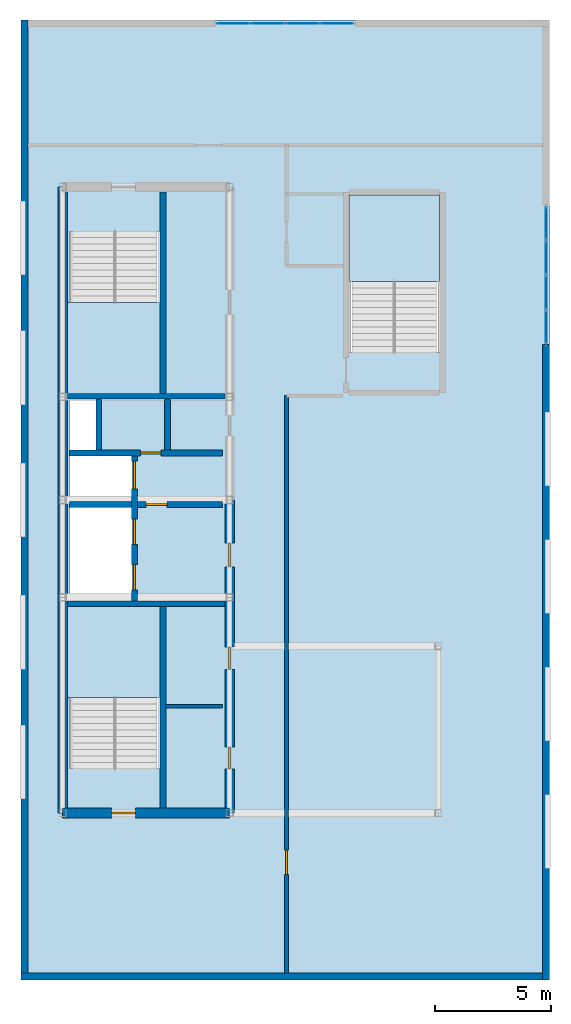
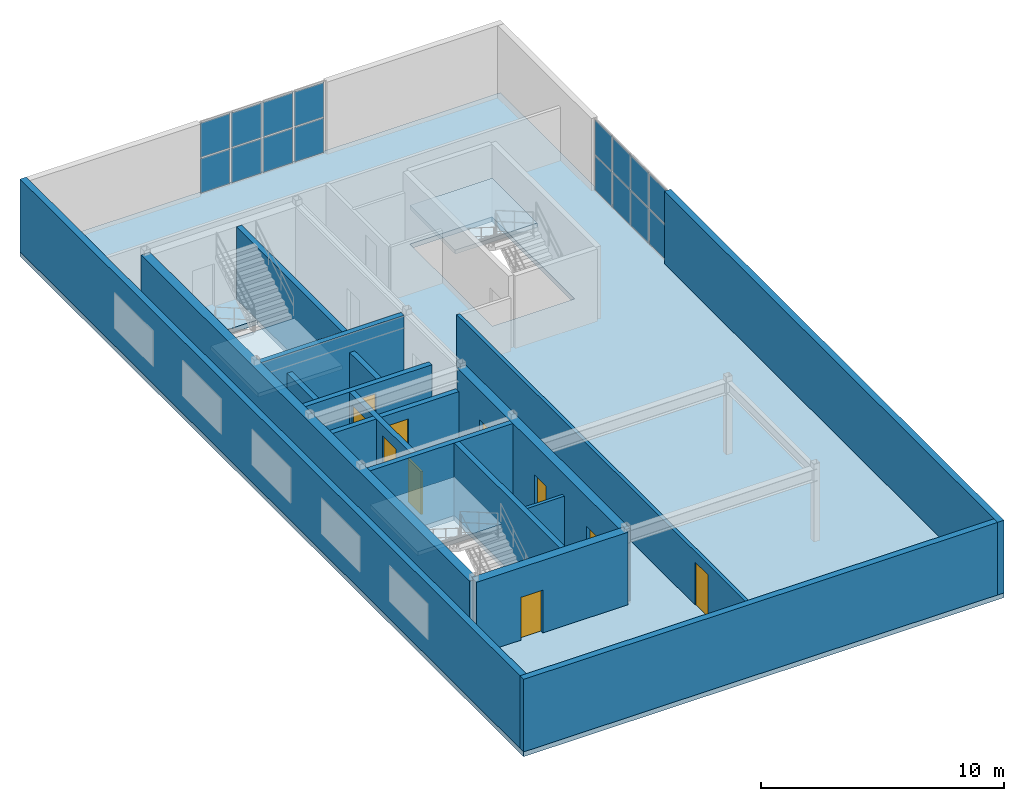
# One storey, part 5 of 7: 17 walls, 16 plates, 10 doors, 4 slabs, 10 openings, 5 elements without a shape of their own.
"""IFC4 building model written with IfcOpenShell, lengths in metres."""

from ifc_helpers import new_model, entity, si_unit, converted_unit, direction, frame, origin_with_axes, origin_2d_with_axis, place, context, subcontext, project, spatial, polyline, rectangle, outline, extrude, material, layer, layer_set, type_object, element, fill, aggregate, save


model = new_model("IFC4")

# Units and contexts
model_context = context("Model", 3, precision=1e-05, world=origin_with_axes(), true_north=direction((0.0, 1.0)))
body_context = subcontext(model_context, "Body", "Model", "MODEL_VIEW")
ifc_project = project(units=[si_unit("LENGTHUNIT", "METRE"), si_unit("AREAUNIT", "SQUARE_METRE"), si_unit("VOLUMEUNIT", "CUBIC_METRE"), converted_unit("PLANEANGLEUNIT", "DEGREE", entity("IfcPlaneAngleMeasure", 0.017453292519943295), si_unit("PLANEANGLEUNIT", "RADIAN"), dimensions=[0, 0, 0, 0, 0, 0, 0]), si_unit("MASSUNIT", "GRAM", prefix="KILO"), si_unit("THERMODYNAMICTEMPERATUREUNIT", "KELVIN")], contexts=[model_context])

# Site, building, storey
site_placement = place(None, origin_with_axes())
site = spatial("IfcSite", under=ifc_project, at=site_placement, CompositionType="ELEMENT")
building_placement = place(site_placement, origin_with_axes())
building = spatial("IfcBuilding", under=site, at=building_placement, Name="Varnlund Millrace Tower", CompositionType="ELEMENT")
storey_placement = place(building_placement, frame((0.0, 0.0, 316.5), z_axis=(0.0, 0.0, 1.0), x_axis=(1.0, 0.0, 0.0)))
storey = spatial("IfcBuildingStorey", under=building, at=storey_placement, Name="L78", CompositionType="ELEMENT", Elevation=316.5)

# Curtain wall, plates
ifc_material_1 = material(Name="Thermally broken architectural bronze curtain wall", Category="aluminium")
curtain_wall_type = type_object("IfcCurtainWallType", Name="Type-CW-Sys6-Observatory", PredefinedType="NOTDEFINED", material=ifc_material_1)
curtain_wall_1_placement = place(storey_placement, frame((32.25, 37.0, 0.0), z_axis=(0.0, 0.0, 1.0), x_axis=(1.0, 0.0, 0.0)))
curtain_wall_1 = element("IfcCurtainWall", 1, at=curtain_wall_1_placement, inside=storey, type_object=curtain_wall_type, Name="Type-CW-Sys6-Observatory", PredefinedType="NOTDEFINED")
ifc_material_2 = material(Name="Fritted low-e triple-glazed lantern curtain-wall unit", Category="glass")
ifc_layer_1 = layer(ifc_material_2, 0.032, Name="Fritted low-e triple-glazed lantern curtain-wall unit")
ifc_layer_set_1 = layer_set([ifc_layer_1], Name="Fritted low-e triple-glazed lantern curtain-wall unit")
plate_type = type_object("IfcPlateType", Name="Type-CW-Panel-Clerestory-32", PredefinedType="CURTAIN_PANEL", material=ifc_layer_set_1)
plate_1_placement = place(storey_placement, frame((32.25, 36.23375, 0.065), z_axis=(0.0, 0.0, 1.0), x_axis=(0.0, -1.0, 0.0)))
plate_1 = element("IfcPlate", 2, at=plate_1_placement, type_object=plate_type, Name="CW-06 panel 1.1", PredefinedType="CURTAIN_PANEL", context=body_context, shape_type="SweptSolid", body=[
    extrude(rectangle(XDim=1.4025, YDim=0.032, at=origin_2d_with_axis()), origin_with_axes(), (0.0, 0.0, 1.0), 1.7225),
])
plate_2_placement = place(storey_placement, frame((32.25, 36.23375, 1.8525), z_axis=(0.0, 0.0, 1.0), x_axis=(0.0, -1.0, 0.0)))
plate_2 = element("IfcPlate", 3, at=plate_2_placement, type_object=plate_type, Name="CW-06 panel 1.2", PredefinedType="CURTAIN_PANEL", context=body_context, shape_type="SweptSolid", body=[
    extrude(rectangle(XDim=1.4025, YDim=0.032, at=origin_2d_with_axis()), origin_with_axes(), (0.0, 0.0, 1.0), 1.7225),
])
plate_3_placement = place(storey_placement, frame((32.25, 34.75, 0.065), z_axis=(0.0, 0.0, 1.0), x_axis=(0.0, -1.0, 0.0)))
plate_3 = element("IfcPlate", 4, at=plate_3_placement, type_object=plate_type, Name="CW-06 panel 2.1", PredefinedType="CURTAIN_PANEL", context=body_context, shape_type="SweptSolid", body=[
    extrude(rectangle(XDim=1.435, YDim=0.032, at=origin_2d_with_axis()), origin_with_axes(), (0.0, 0.0, 1.0), 1.7225),
])
plate_4_placement = place(storey_placement, frame((32.25, 34.75, 1.8525), z_axis=(0.0, 0.0, 1.0), x_axis=(0.0, -1.0, 0.0)))
plate_4 = element("IfcPlate", 5, at=plate_4_placement, type_object=plate_type, Name="CW-06 panel 2.2", PredefinedType="CURTAIN_PANEL", context=body_context, shape_type="SweptSolid", body=[
    extrude(rectangle(XDim=1.435, YDim=0.032, at=origin_2d_with_axis()), origin_with_axes(), (0.0, 0.0, 1.0), 1.7225),
])
plate_5_placement = place(storey_placement, frame((32.25, 33.25, 0.065), z_axis=(0.0, 0.0, 1.0), x_axis=(0.0, -1.0, 0.0)))
plate_5 = element("IfcPlate", 6, at=plate_5_placement, type_object=plate_type, Name="CW-06 panel 3.1", PredefinedType="CURTAIN_PANEL", context=body_context, shape_type="SweptSolid", body=[
    extrude(rectangle(XDim=1.435, YDim=0.032, at=origin_2d_with_axis()), origin_with_axes(), (0.0, 0.0, 1.0), 1.7225),
])
plate_6_placement = place(storey_placement, frame((32.25, 33.25, 1.8525), z_axis=(0.0, 0.0, 1.0), x_axis=(0.0, -1.0, 0.0)))
plate_6 = element("IfcPlate", 7, at=plate_6_placement, type_object=plate_type, Name="CW-06 panel 3.2", PredefinedType="CURTAIN_PANEL", context=body_context, shape_type="SweptSolid", body=[
    extrude(rectangle(XDim=1.435, YDim=0.032, at=origin_2d_with_axis()), origin_with_axes(), (0.0, 0.0, 1.0), 1.7225),
])
plate_7_placement = place(storey_placement, frame((32.25, 31.76625, 0.065), z_axis=(0.0, 0.0, 1.0), x_axis=(0.0, -1.0, 0.0)))
plate_7 = element("IfcPlate", 8, at=plate_7_placement, type_object=plate_type, Name="CW-06 panel 4.1", PredefinedType="CURTAIN_PANEL", context=body_context, shape_type="SweptSolid", body=[
    extrude(rectangle(XDim=1.4025, YDim=0.032, at=origin_2d_with_axis()), origin_with_axes(), (0.0, 0.0, 1.0), 1.7225),
])
plate_8_placement = place(storey_placement, frame((32.25, 31.76625, 1.8525), z_axis=(0.0, 0.0, 1.0), x_axis=(0.0, -1.0, 0.0)))
plate_8 = element("IfcPlate", 9, at=plate_8_placement, type_object=plate_type, Name="CW-06 panel 4.2", PredefinedType="CURTAIN_PANEL", context=body_context, shape_type="SweptSolid", body=[
    extrude(rectangle(XDim=1.4025, YDim=0.032, at=origin_2d_with_axis()), origin_with_axes(), (0.0, 0.0, 1.0), 1.7225),
])
aggregate(curtain_wall_1, [plate_1, plate_2, plate_3, plate_4, plate_5, plate_6, plate_7, plate_8])

curtain_wall_2_placement = place(storey_placement, frame((18.0, 44.85, 0.0), z_axis=(0.0, 0.0, 1.0), x_axis=(1.0, 0.0, 0.0)))
curtain_wall_2 = element("IfcCurtainWall", 10, at=curtain_wall_2_placement, inside=storey, type_object=curtain_wall_type, Name="Type-CW-Sys6-Observatory", PredefinedType="NOTDEFINED")
plate_9_placement = place(storey_placement, frame((18.76625, 44.85, 0.065), z_axis=(0.0, 0.0, 1.0), x_axis=(1.0, 0.0, 0.0)))
plate_9 = element("IfcPlate", 11, at=plate_9_placement, type_object=plate_type, Name="CW-06 panel 1.1", PredefinedType="CURTAIN_PANEL", context=body_context, shape_type="SweptSolid", body=[
    extrude(rectangle(XDim=1.4025, YDim=0.032, at=origin_2d_with_axis()), origin_with_axes(), (0.0, 0.0, 1.0), 1.7225),
])
plate_10_placement = place(storey_placement, frame((18.76625, 44.85, 1.8525), z_axis=(0.0, 0.0, 1.0), x_axis=(1.0, 0.0, 0.0)))
plate_10 = element("IfcPlate", 12, at=plate_10_placement, type_object=plate_type, Name="CW-06 panel 1.2", PredefinedType="CURTAIN_PANEL", context=body_context, shape_type="SweptSolid", body=[
    extrude(rectangle(XDim=1.4025, YDim=0.032, at=origin_2d_with_axis()), origin_with_axes(), (0.0, 0.0, 1.0), 1.7225),
])
plate_11_placement = place(storey_placement, frame((20.25, 44.85, 0.065), z_axis=(0.0, 0.0, 1.0), x_axis=(1.0, 0.0, 0.0)))
plate_11 = element("IfcPlate", 13, at=plate_11_placement, type_object=plate_type, Name="CW-06 panel 2.1", PredefinedType="CURTAIN_PANEL", context=body_context, shape_type="SweptSolid", body=[
    extrude(rectangle(XDim=1.435, YDim=0.032, at=origin_2d_with_axis()), origin_with_axes(), (0.0, 0.0, 1.0), 1.7225),
])
plate_12_placement = place(storey_placement, frame((20.25, 44.85, 1.8525), z_axis=(0.0, 0.0, 1.0), x_axis=(1.0, 0.0, 0.0)))
plate_12 = element("IfcPlate", 14, at=plate_12_placement, type_object=plate_type, Name="CW-06 panel 2.2", PredefinedType="CURTAIN_PANEL", context=body_context, shape_type="SweptSolid", body=[
    extrude(rectangle(XDim=1.435, YDim=0.032, at=origin_2d_with_axis()), origin_with_axes(), (0.0, 0.0, 1.0), 1.7225),
])
plate_13_placement = place(storey_placement, frame((21.75, 44.85, 0.065), z_axis=(0.0, 0.0, 1.0), x_axis=(1.0, 0.0, 0.0)))
plate_13 = element("IfcPlate", 15, at=plate_13_placement, type_object=plate_type, Name="CW-06 panel 3.1", PredefinedType="CURTAIN_PANEL", context=body_context, shape_type="SweptSolid", body=[
    extrude(rectangle(XDim=1.435, YDim=0.032, at=origin_2d_with_axis()), origin_with_axes(), (0.0, 0.0, 1.0), 1.7225),
])
plate_14_placement = place(storey_placement, frame((21.75, 44.85, 1.8525), z_axis=(0.0, 0.0, 1.0), x_axis=(1.0, 0.0, 0.0)))
plate_14 = element("IfcPlate", 16, at=plate_14_placement, type_object=plate_type, Name="CW-06 panel 3.2", PredefinedType="CURTAIN_PANEL", context=body_context, shape_type="SweptSolid", body=[
    extrude(rectangle(XDim=1.435, YDim=0.032, at=origin_2d_with_axis()), origin_with_axes(), (0.0, 0.0, 1.0), 1.7225),
])
plate_15_placement = place(storey_placement, frame((23.23375, 44.85, 0.065), z_axis=(0.0, 0.0, 1.0), x_axis=(1.0, 0.0, 0.0)))
plate_15 = element("IfcPlate", 17, at=plate_15_placement, type_object=plate_type, Name="CW-06 panel 4.1", PredefinedType="CURTAIN_PANEL", context=body_context, shape_type="SweptSolid", body=[
    extrude(rectangle(XDim=1.4025, YDim=0.032, at=origin_2d_with_axis()), origin_with_axes(), (0.0, 0.0, 1.0), 1.7225),
])
plate_16_placement = place(storey_placement, frame((23.23375, 44.85, 1.8525), z_axis=(0.0, 0.0, 1.0), x_axis=(1.0, 0.0, 0.0)))
plate_16 = element("IfcPlate", 18, at=plate_16_placement, type_object=plate_type, Name="CW-06 panel 4.2", PredefinedType="CURTAIN_PANEL", context=body_context, shape_type="SweptSolid", body=[
    extrude(rectangle(XDim=1.4025, YDim=0.032, at=origin_2d_with_axis()), origin_with_axes(), (0.0, 0.0, 1.0), 1.7225),
])
aggregate(curtain_wall_2, [plate_9, plate_10, plate_11, plate_12, plate_13, plate_14, plate_15, plate_16])

# Slab
ifc_material_3 = material(Name="Concrete C60/75", Category="concrete")
ifc_layer_2 = layer(ifc_material_3, 0.24, Name="Concrete C60/75")
ifc_layer_set_2 = layer_set([ifc_layer_2], Name="Concrete C60/75")
slab_type_1 = type_object("IfcSlabType", Name="Type-Deck-Plate-Typical-240", PredefinedType="FLOOR", material=ifc_layer_set_2)
slab_1_placement = place(storey_placement, frame((0.0, 0.0, -0.24), z_axis=(0.0, 0.0, 1.0), x_axis=(1.0, 0.0, 0.0)))
element("IfcSlab", 19, at=slab_1_placement, inside=storey, type_object=slab_type_1, Name="Type-Deck-Plate-Typical-240", PredefinedType="FLOOR", context=body_context, shape_type="SweptSolid", body=[
    extrude(outline(polyline([(32.4, 3.6), (32.4, 45.0), (9.6, 45.0), (9.6, 3.6), (32.4, 3.6)]), holes=[polyline([(11.7, 19.7), (15.6, 19.7), (15.6, 12.715), (11.7, 12.715), (11.7, 19.7)]), polyline([(11.7, 19.94), (11.7, 23.98), (14.38, 23.98), (14.38, 19.94), (11.7, 19.94)]), polyline([(14.38, 26.2), (14.38, 24.24), (11.7, 24.24), (11.7, 26.2), (14.38, 26.2)]), polyline([(12.84, 28.65), (12.84, 26.46), (11.7, 26.46), (11.7, 28.65), (12.84, 28.65)]), polyline([(15.6, 35.885), (15.6, 28.9), (11.7, 28.9), (11.7, 35.885), (15.6, 35.885)]), polyline([(27.65, 37.45), (27.65, 30.665), (23.75, 30.665), (23.75, 37.45), (27.65, 37.45)])]), origin_with_axes(), (0.0, 0.0, 1.0), 0.24),
])

# Stair, slab
ifc_material_4 = material(Name="Concrete C50/60", Category="concrete")
stair_type = type_object("IfcStairType", Name="Type-Stair-Dogleg-185-390", PredefinedType="HALF_TURN_STAIR", material=ifc_material_4)
stair_1_placement = place(storey_placement, origin_with_axes())
stair_1 = element("IfcStair", 20, at=stair_1_placement, inside=storey, type_object=stair_type, Name="Type-Stair-Dogleg-185-390", PredefinedType="HALF_TURN_STAIR")
ifc_layer_3 = layer(ifc_material_4, 0.2, Name="Concrete C50/60")
ifc_layer_set_3 = layer_set([ifc_layer_3], Name="Concrete C50/60")
slab_type_2 = type_object("IfcSlabType", Name="Type-StairLanding-200", PredefinedType="LANDING", material=ifc_layer_set_3)
slab_2_placement = place(storey_placement, frame((0.0, 0.0, 1.75), z_axis=(0.0, 0.0, 1.0), x_axis=(1.0, 0.0, 0.0)))
slab_2 = element("IfcSlab", 21, at=slab_2_placement, type_object=slab_type_2, Name="ST-A1 landing 1", PredefinedType="LANDING", context=body_context, shape_type="SweptSolid", body=[
    extrude(outline(polyline([(15.6, 15.78), (15.6, 19.7), (11.61, 19.7), (11.61, 15.78), (15.6, 15.78)])), origin_with_axes(), (0.0, 0.0, 1.0), 0.2),
])
aggregate(stair_1, [slab_2])

stair_2_placement = place(storey_placement, origin_with_axes())
stair_2 = element("IfcStair", 22, at=stair_2_placement, inside=storey, type_object=stair_type, Name="Type-Stair-Dogleg-185-390", PredefinedType="HALF_TURN_STAIR")
slab_3_placement = place(storey_placement, frame((0.0, 0.0, 1.75), z_axis=(0.0, 0.0, 1.0), x_axis=(1.0, 0.0, 0.0)))
slab_3 = element("IfcSlab", 23, at=slab_3_placement, type_object=slab_type_2, Name="ST-A2 landing 1", PredefinedType="LANDING", context=body_context, shape_type="SweptSolid", body=[
    extrude(outline(polyline([(11.61, 32.82), (11.61, 28.9), (15.6, 28.9), (15.6, 32.82), (11.61, 32.82)])), origin_with_axes(), (0.0, 0.0, 1.0), 0.2),
])
aggregate(stair_2, [slab_3])

stair_3_placement = place(storey_placement, origin_with_axes())
stair_3 = element("IfcStair", 24, at=stair_3_placement, inside=storey, type_object=stair_type, Name="Type-Stair-Dogleg-185-390", PredefinedType="HALF_TURN_STAIR")
slab_4_placement = place(storey_placement, frame((0.0, 0.0, 1.75), z_axis=(0.0, 0.0, 1.0), x_axis=(1.0, 0.0, 0.0)))
slab_4 = element("IfcSlab", 25, at=slab_4_placement, type_object=slab_type_2, Name="ST-A3 landing 1", PredefinedType="LANDING", context=body_context, shape_type="SweptSolid", body=[
    extrude(outline(polyline([(27.65, 33.73), (27.65, 37.45), (23.75, 37.45), (23.75, 33.73), (27.65, 33.73)])), origin_with_axes(), (0.0, 0.0, 1.0), 0.2),
])
aggregate(stair_3, [slab_4])

# Wall
ifc_layer_4 = layer(ifc_material_3, 0.42, Name="Concrete C60/75")
ifc_layer_set_4 = layer_set([ifc_layer_4], Name="Concrete C60/75")
wall_type_1 = type_object("IfcWallType", Name="Type-CoreWall-Shear-420-C60", PredefinedType="SHEAR", material=ifc_layer_set_4)
wall_1_placement = place(storey_placement, frame((11.4, 10.8, 0.0), z_axis=(0.0, 0.0, 1.0), x_axis=(0.0, 1.0, 0.0)))
element("IfcWall", 26, at=wall_1_placement, inside=storey, type_object=wall_type_1, Name="Type-CoreWall-Shear-420-C60", PredefinedType="SHEAR", context=body_context, shape_type="SweptSolid", body=[
    extrude(outline(polyline([(0.0, -0.21), (27.0, -0.21), (27.0, 0.21), (0.0, 0.21), (0.0, -0.21)])), origin_with_axes(), (0.0, 0.0, 1.0), 3.64),
])

# Wall, opening, door
wall_2_placement = place(storey_placement, frame((11.4, 10.8, 0.0), z_axis=(0.0, 0.0, 1.0), x_axis=(1.0, 0.0, 0.0)))
wall_2 = element("IfcWall", 27, at=wall_2_placement, inside=storey, type_object=wall_type_1, Name="Type-CoreWall-Shear-420-C60", PredefinedType="SHEAR", context=body_context, shape_type="SweptSolid", body=[
    extrude(outline(polyline([(0.0, -0.21), (7.2, -0.21), (7.2, 0.21), (0.0, 0.21), (0.0, -0.21)])), origin_with_axes(), (0.0, 0.0, 1.0), 3.64),
])
opening_1_placement = place(wall_2_placement, frame((2.625, 0.0, 0.0), z_axis=(0.0, 0.0, 1.0), x_axis=(1.0, 0.0, 0.0)))
opening_1 = element("IfcOpeningElement", 28, at=opening_1_placement, cuts=wall_2, Name="Opening L78:DR-STA1", PredefinedType="OPENING", context=body_context, shape_type="SweptSolid", body=[
    extrude(rectangle(XDim=1.05, YDim=0.44, at=origin_2d_with_axis()), origin_with_axes(), (0.0, 0.0, 1.0), 2.15),
])
ifc_material_5 = material(Name="Fire-rated hollow steel door", Category="steel")
door_type_1 = type_object("IfcDoorType", Name="Type-FireDoor-Stair-1050X2150", OperationType="NOTDEFINED", PredefinedType="DOOR", material=ifc_material_5)
door_1_placement = place(wall_2_placement, frame((2.625, 0.0, 0.0), z_axis=(0.0, 0.0, 1.0), x_axis=(1.0, 0.0, 0.0)))
door_1 = element("IfcDoor", 29, at=door_1_placement, inside=storey, type_object=door_type_1, Name="Type-FireDoor-Stair-1050X2150", OperationType="SINGLE_SWING_LEFT", OverallHeight=2.15, OverallWidth=1.05, PredefinedType="DOOR", context=body_context, shape_type="SweptSolid", body=[
    extrude(rectangle(XDim=1.05, YDim=0.09, at=origin_2d_with_axis()), origin_with_axes(), (0.0, 0.0, 1.0), 2.15),
])
fill(opening_1, door_1)

# Wall, openings, doors
wall_3_placement = place(storey_placement, frame((18.6, 10.8, 0.0), z_axis=(0.0, 0.0, 1.0), x_axis=(0.0, 1.0, 0.0)))
wall_3 = element("IfcWall", 30, at=wall_3_placement, inside=storey, type_object=wall_type_1, Name="Type-CoreWall-Shear-420-C60", PredefinedType="SHEAR", context=body_context, shape_type="SweptSolid", body=[
    extrude(outline(polyline([(0.0, -0.21), (13.5, -0.21), (13.5, 0.21), (0.0, 0.21), (0.0, -0.21)])), origin_with_axes(), (0.0, 0.0, 1.0), 3.64),
])
opening_2_placement = place(wall_3_placement, frame((11.125, 0.0, 0.0), z_axis=(0.0, 0.0, 1.0), x_axis=(1.0, 0.0, 0.0)))
opening_2 = element("IfcOpeningElement", 31, at=opening_2_placement, cuts=wall_3, Name="Opening L78:DR-FFLOB-A", PredefinedType="OPENING", context=body_context, shape_type="SweptSolid", body=[
    extrude(rectangle(XDim=1.05, YDim=0.44, at=origin_2d_with_axis()), origin_with_axes(), (0.0, 0.0, 1.0), 2.15),
])
opening_3_placement = place(wall_3_placement, frame((2.375, 0.0, 0.0), z_axis=(0.0, 0.0, 1.0), x_axis=(1.0, 0.0, 0.0)))
opening_3 = element("IfcOpeningElement", 32, at=opening_3_placement, cuts=wall_3, Name="Opening L78:DR-CRN-C1", PredefinedType="OPENING", context=body_context, shape_type="SweptSolid", body=[
    extrude(rectangle(XDim=0.95, YDim=0.44, at=origin_2d_with_axis()), origin_with_axes(), (0.0, 0.0, 1.0), 2.15),
])
opening_4_placement = place(wall_3_placement, frame((6.675, 0.0, 0.0), z_axis=(0.0, 0.0, 1.0), x_axis=(1.0, 0.0, 0.0)))
opening_4 = element("IfcOpeningElement", 33, at=opening_4_placement, cuts=wall_3, Name="Opening L78:DR-CRN-C2", PredefinedType="OPENING", context=body_context, shape_type="SweptSolid", body=[
    extrude(rectangle(XDim=0.95, YDim=0.44, at=origin_2d_with_axis()), origin_with_axes(), (0.0, 0.0, 1.0), 2.15),
])
ifc_material_6 = material(Name="Smoke-barrier hollow steel fire door", Category="steel")
door_type_2 = type_object("IfcDoorType", Name="Type-FireDoor-Lobby-1050X2150", OperationType="NOTDEFINED", PredefinedType="DOOR", material=ifc_material_6)
door_2_placement = place(wall_3_placement, frame((11.125, 0.0, 0.0), z_axis=(0.0, 0.0, 1.0), x_axis=(1.0, 0.0, 0.0)))
door_2 = element("IfcDoor", 34, at=door_2_placement, inside=storey, type_object=door_type_2, Name="Type-FireDoor-Lobby-1050X2150", OperationType="SINGLE_SWING_LEFT", OverallHeight=2.15, OverallWidth=1.05, PredefinedType="DOOR", context=body_context, shape_type="SweptSolid", body=[
    extrude(rectangle(XDim=1.05, YDim=0.09, at=origin_2d_with_axis()), origin_with_axes(), (0.0, 0.0, 1.0), 2.15),
])
fill(opening_2, door_2)
ifc_material_7 = material(Name="Fire-rated hollow steel core service door", Category="steel")
door_type_3 = type_object("IfcDoorType", Name="Type-FireDoor-Service-950X2150", OperationType="NOTDEFINED", PredefinedType="DOOR", material=ifc_material_7)
door_3_placement = place(wall_3_placement, frame((2.375, 0.0, 0.0), z_axis=(0.0, 0.0, 1.0), x_axis=(1.0, 0.0, 0.0)))
door_3 = element("IfcDoor", 35, at=door_3_placement, inside=storey, type_object=door_type_3, Name="Type-FireDoor-Service-950X2150", OperationType="SINGLE_SWING_LEFT", OverallHeight=2.15, OverallWidth=0.95, PredefinedType="DOOR", context=body_context, shape_type="SweptSolid", body=[
    extrude(rectangle(XDim=0.95, YDim=0.09, at=origin_2d_with_axis()), origin_with_axes(), (0.0, 0.0, 1.0), 2.15),
])
fill(opening_3, door_3)
door_4_placement = place(wall_3_placement, frame((6.675, 0.0, 0.0), z_axis=(0.0, 0.0, 1.0), x_axis=(1.0, 0.0, 0.0)))
door_4 = element("IfcDoor", 36, at=door_4_placement, inside=storey, type_object=door_type_3, Name="Type-FireDoor-Service-950X2150", OperationType="SINGLE_SWING_RIGHT", OverallHeight=2.15, OverallWidth=0.95, PredefinedType="DOOR", context=body_context, shape_type="SweptSolid", body=[
    extrude(rectangle(XDim=0.95, YDim=0.09, at=origin_2d_with_axis()), origin_with_axes(), (0.0, 0.0, 1.0), 2.15),
])
fill(opening_4, door_4)

# Walls
ifc_material_8 = material(Name="Precast concrete C50/60", Category="concrete")
ifc_layer_5 = layer(ifc_material_8, 0.3, Name="Precast concrete C50/60")
ifc_layer_set_5 = layer_set([ifc_layer_5], Name="Precast concrete C50/60")
wall_type_2 = type_object("IfcWallType", Name="Type-ExtWall-Precast-Crown-300", PredefinedType="SOLIDWALL", material=ifc_layer_set_5)
wall_4_placement = place(storey_placement, frame((9.75, 3.9, 0.0), z_axis=(0.0, 0.0, 1.0), x_axis=(0.0, 1.0, 0.0)))
element("IfcWall", 37, at=wall_4_placement, inside=storey, type_object=wall_type_2, Name="Type-ExtWall-Precast-Crown-300", PredefinedType="SOLIDWALL", context=body_context, shape_type="SweptSolid", body=[
    extrude(outline(polyline([(0.0, -0.15), (41.1, -0.15), (41.1, 0.15), (0.0, 0.15), (0.0, -0.15)])), origin_with_axes(), (0.0, 0.0, 1.0), 3.64),
])
wall_5_placement = place(storey_placement, frame((32.25, 31.0, 0.0), z_axis=(0.0, 0.0, 1.0), x_axis=(0.0, -1.0, 0.0)))
element("IfcWall", 38, at=wall_5_placement, inside=storey, type_object=wall_type_2, Name="Type-ExtWall-Precast-Crown-300", PredefinedType="SOLIDWALL", context=body_context, shape_type="SweptSolid", body=[
    extrude(outline(polyline([(0.0, -0.15), (27.4, -0.15), (27.4, 0.15), (0.0, 0.15), (0.0, -0.15)])), origin_with_axes(), (0.0, 0.0, 1.0), 3.64),
])
wall_6_placement = place(storey_placement, frame((32.1, 3.75, 0.0), z_axis=(0.0, 0.0, 1.0), x_axis=(-1.0, 0.0, 0.0)))
element("IfcWall", 39, at=wall_6_placement, inside=storey, type_object=wall_type_2, Name="Type-ExtWall-Precast-Crown-300", PredefinedType="SOLIDWALL", context=body_context, shape_type="SweptSolid", body=[
    extrude(outline(polyline([(0.0, -0.15), (22.5, -0.15), (22.5, 0.15), (0.0, 0.15), (0.0, -0.15)])), origin_with_axes(), (0.0, 0.0, 1.0), 3.64),
])
ifc_material_9 = material(Name="Fire-rated gypsum board on cold-formed steel framing", Category="steel")
ifc_layer_6 = layer(ifc_material_9, 0.16, Name="Fire-rated gypsum board on cold-formed steel framing")
ifc_layer_set_6 = layer_set([ifc_layer_6], Name="Fire-rated gypsum board on cold-formed steel framing")
wall_type_3 = type_object("IfcWallType", Name="Type-Partition-Corridor-160", PredefinedType="PARTITIONING", material=ifc_layer_set_6)
wall_7_placement = place(storey_placement, frame((15.84, 15.4, 0.0), z_axis=(0.0, 0.0, 1.0), x_axis=(1.0, 0.0, 0.0)))
element("IfcWall", 40, at=wall_7_placement, inside=storey, type_object=wall_type_3, Name="Type-Partition-Corridor-160", PredefinedType="PARTITIONING", context=body_context, shape_type="SweptSolid", body=[
    extrude(outline(polyline([(0.0, -0.08), (2.46, -0.08), (2.46, 0.08), (0.0, 0.08), (0.0, -0.08)])), origin_with_axes(), (0.0, 0.0, 1.0), 2.68),
])

# Wall, opening, door
wall_8_placement = place(storey_placement, frame((21.05, 3.895, 0.0), z_axis=(0.0, 0.0, 1.0), x_axis=(0.0, 1.0, 0.0)))
wall_8 = element("IfcWall", 41, at=wall_8_placement, inside=storey, type_object=wall_type_3, Name="Type-Partition-Corridor-160", PredefinedType="PARTITIONING", context=body_context, shape_type="SweptSolid", body=[
    extrude(outline(polyline([(0.0, -0.08), (24.905, -0.08), (24.905, 0.08), (0.0, 0.08), (0.0, -0.08)])), origin_with_axes(), (0.0, 0.0, 1.0), 2.68),
])
opening_5_placement = place(wall_8_placement, frame((4.78, 0.0, 0.0), z_axis=(0.0, 0.0, 1.0), x_axis=(1.0, 0.0, 0.0)))
opening_5 = element("IfcOpeningElement", 42, at=opening_5_placement, cuts=wall_8, Name="Opening L78:DR-CRN-PLT", PredefinedType="OPENING", context=body_context, shape_type="SweptSolid", body=[
    extrude(rectangle(XDim=1.05, YDim=0.18, at=origin_2d_with_axis()), origin_with_axes(), (0.0, 0.0, 1.0), 2.15),
])
door_5_placement = place(wall_8_placement, frame((4.78, 0.0, 0.0), z_axis=(0.0, 0.0, 1.0), x_axis=(1.0, 0.0, 0.0)))
door_5 = element("IfcDoor", 43, at=door_5_placement, inside=storey, type_object=door_type_2, Name="Type-FireDoor-Lobby-1050X2150", OperationType="SINGLE_SWING_LEFT", OverallHeight=2.15, OverallWidth=1.05, PredefinedType="DOOR", context=body_context, shape_type="SweptSolid", body=[
    extrude(rectangle(XDim=1.05, YDim=0.09, at=origin_2d_with_axis()), origin_with_axes(), (0.0, 0.0, 1.0), 2.15),
])
fill(opening_5, door_5)

# Wall, openings, doors
ifc_layer_7 = layer(ifc_material_3, 0.25, Name="Concrete C60/75")
ifc_layer_set_7 = layer_set([ifc_layer_7], Name="Concrete C60/75")
wall_type_4 = type_object("IfcWallType", Name="Type-ShaftWall-Fire-250", PredefinedType="SOLIDWALL", material=ifc_layer_set_7)
wall_9_placement = place(storey_placement, frame((14.5, 19.95, 0.0), z_axis=(0.0, 0.0, 1.0), x_axis=(0.0, 1.0, 0.0)))
wall_9 = element("IfcWall", 44, at=wall_9_placement, inside=storey, type_object=wall_type_4, Name="Type-ShaftWall-Fire-250", PredefinedType="SOLIDWALL", context=body_context, shape_type="SweptSolid", body=[
    extrude(outline(polyline([(0.0, -0.125), (6.25, -0.125), (6.25, 0.125), (0.0, 0.125), (0.0, -0.125)])), origin_with_axes(), (0.0, 0.0, 1.0), 2.68),
])
opening_6_placement = place(wall_9_placement, frame((1.025, 0.0, 0.0), z_axis=(0.0, 0.0, 1.0), x_axis=(1.0, 0.0, 0.0)))
opening_6 = element("IfcOpeningElement", 45, at=opening_6_placement, cuts=wall_9, Name="Opening L78:LD-FSAE1", PredefinedType="OPENING", context=body_context, shape_type="SweptSolid", body=[
    extrude(rectangle(XDim=1.1, YDim=0.27, at=origin_2d_with_axis()), origin_with_axes(), (0.0, 0.0, 1.0), 2.15),
])
opening_7_placement = place(wall_9_placement, frame((2.975, 0.0, 0.0), z_axis=(0.0, 0.0, 1.0), x_axis=(1.0, 0.0, 0.0)))
opening_7 = element("IfcOpeningElement", 46, at=opening_7_placement, cuts=wall_9, Name="Opening L78:LD-FSAE2", PredefinedType="OPENING", context=body_context, shape_type="SweptSolid", body=[
    extrude(rectangle(XDim=1.1, YDim=0.27, at=origin_2d_with_axis()), origin_with_axes(), (0.0, 0.0, 1.0), 2.15),
])
opening_8_placement = place(wall_9_placement, frame((5.425, 0.0, 0.0), z_axis=(0.0, 0.0, 1.0), x_axis=(1.0, 0.0, 0.0)))
opening_8 = element("IfcOpeningElement", 47, at=opening_8_placement, cuts=wall_9, Name="Opening L78:LD-SRV1", PredefinedType="OPENING", context=body_context, shape_type="SweptSolid", body=[
    extrude(rectangle(XDim=1.2, YDim=0.27, at=origin_2d_with_axis()), origin_with_axes(), (0.0, 0.0, 1.0), 2.15),
])
ifc_material_10 = material(Name="Stainless and architectural bronze sliding landing door")
door_type_4 = type_object("IfcDoorType", Name="Type-LiftLandingDoor-1100X2150", OperationType="NOTDEFINED", PredefinedType="DOOR", material=ifc_material_10)
door_6_placement = place(wall_9_placement, frame((1.025, 0.0, 0.0), z_axis=(0.0, 0.0, 1.0), x_axis=(1.0, 0.0, 0.0)))
door_6 = element("IfcDoor", 48, at=door_6_placement, inside=storey, type_object=door_type_4, Name="Type-LiftLandingDoor-1100X2150", OperationType="SLIDING_TO_LEFT", OverallHeight=2.15, OverallWidth=1.1, PredefinedType="DOOR", context=body_context, shape_type="SweptSolid", body=[
    extrude(rectangle(XDim=1.1, YDim=0.09, at=origin_2d_with_axis()), origin_with_axes(), (0.0, 0.0, 1.0), 2.15),
])
fill(opening_6, door_6)
door_7_placement = place(wall_9_placement, frame((2.975, 0.0, 0.0), z_axis=(0.0, 0.0, 1.0), x_axis=(1.0, 0.0, 0.0)))
door_7 = element("IfcDoor", 49, at=door_7_placement, inside=storey, type_object=door_type_4, Name="Type-LiftLandingDoor-1100X2150", OperationType="SLIDING_TO_RIGHT", OverallHeight=2.15, OverallWidth=1.1, PredefinedType="DOOR", context=body_context, shape_type="SweptSolid", body=[
    extrude(rectangle(XDim=1.1, YDim=0.09, at=origin_2d_with_axis()), origin_with_axes(), (0.0, 0.0, 1.0), 2.15),
])
fill(opening_7, door_7)
ifc_material_11 = material(Name="Heavy-duty freight sliding landing door")
door_type_5 = type_object("IfcDoorType", Name="Type-LiftLandingDoor-Service-1200X2150", OperationType="NOTDEFINED", PredefinedType="DOOR", material=ifc_material_11)
door_8_placement = place(wall_9_placement, frame((5.425, 0.0, 0.0), z_axis=(0.0, 0.0, 1.0), x_axis=(1.0, 0.0, 0.0)))
door_8 = element("IfcDoor", 50, at=door_8_placement, inside=storey, type_object=door_type_5, Name="Type-LiftLandingDoor-Service-1200X2150", OperationType="DOUBLE_DOOR_SLIDING", OverallHeight=2.15, OverallWidth=1.2, PredefinedType="DOOR", context=body_context, shape_type="SweptSolid", body=[
    extrude(rectangle(XDim=1.2, YDim=0.09, at=origin_2d_with_axis()), origin_with_axes(), (0.0, 0.0, 1.0), 2.15),
])
fill(opening_8, door_8)

# Wall, opening, door
wall_10_placement = place(storey_placement, frame((11.7, 24.1, 0.0), z_axis=(0.0, 0.0, 1.0), x_axis=(1.0, 0.0, 0.0)))
wall_10 = element("IfcWall", 51, at=wall_10_placement, inside=storey, type_object=wall_type_4, Name="Type-ShaftWall-Fire-250", PredefinedType="SOLIDWALL", context=body_context, shape_type="SweptSolid", body=[
    extrude(outline(polyline([(0.0, -0.125), (6.6, -0.125), (6.6, 0.125), (0.0, 0.125), (0.0, -0.125)])), origin_with_axes(), (0.0, 0.0, 1.0), 2.68),
])
opening_9_placement = place(wall_10_placement, frame((3.75, 0.0, 0.0), z_axis=(0.0, 0.0, 1.0), x_axis=(1.0, 0.0, 0.0)))
opening_9 = element("IfcOpeningElement", 52, at=opening_9_placement, cuts=wall_10, Name="Opening L78:DR-CA-SRV1", PredefinedType="OPENING", context=body_context, shape_type="SweptSolid", body=[
    extrude(rectangle(XDim=0.9, YDim=0.27, at=origin_2d_with_axis()), origin_with_axes(), (0.0, 0.0, 1.0), 2.15),
])
ifc_material_12 = material(Name="Fire-rated hollow steel service closet door", Category="steel")
door_type_6 = type_object("IfcDoorType", Name="Type-FireDoor-Closet-900X2150", OperationType="NOTDEFINED", PredefinedType="DOOR", material=ifc_material_12)
door_9_placement = place(wall_10_placement, frame((3.75, 0.0, 0.0), z_axis=(0.0, 0.0, 1.0), x_axis=(1.0, 0.0, 0.0)))
door_9 = element("IfcDoor", 53, at=door_9_placement, inside=storey, type_object=door_type_6, Name="Type-FireDoor-Closet-900X2150", OperationType="SINGLE_SWING_LEFT", OverallHeight=2.15, OverallWidth=0.9, PredefinedType="DOOR", context=body_context, shape_type="SweptSolid", body=[
    extrude(rectangle(XDim=0.9, YDim=0.09, at=origin_2d_with_axis()), origin_with_axes(), (0.0, 0.0, 1.0), 2.15),
])
fill(opening_9, door_9)

wall_11_placement = place(storey_placement, frame((11.7, 26.325, 0.0), z_axis=(0.0, 0.0, 1.0), x_axis=(1.0, 0.0, 0.0)))
wall_11 = element("IfcWall", 54, at=wall_11_placement, inside=storey, type_object=wall_type_4, Name="Type-ShaftWall-Fire-250", PredefinedType="SOLIDWALL", context=body_context, shape_type="SweptSolid", body=[
    extrude(outline(polyline([(0.0, -0.125), (6.6, -0.125), (6.6, 0.125), (0.0, 0.125), (0.0, -0.125)])), origin_with_axes(), (0.0, 0.0, 1.0), 2.68),
])
opening_10_placement = place(wall_11_placement, frame((3.5, 0.0, 0.0), z_axis=(0.0, 0.0, 1.0), x_axis=(1.0, 0.0, 0.0)))
opening_10 = element("IfcOpeningElement", 55, at=opening_10_placement, cuts=wall_11, Name="Opening L78:DR-CA-ELC", PredefinedType="OPENING", context=body_context, shape_type="SweptSolid", body=[
    extrude(rectangle(XDim=0.9, YDim=0.27, at=origin_2d_with_axis()), origin_with_axes(), (0.0, 0.0, 1.0), 2.15),
])
door_10_placement = place(wall_11_placement, frame((3.5, 0.0, 0.0), z_axis=(0.0, 0.0, 1.0), x_axis=(1.0, 0.0, 0.0)))
door_10 = element("IfcDoor", 56, at=door_10_placement, inside=storey, type_object=door_type_6, Name="Type-FireDoor-Closet-900X2150", OperationType="SINGLE_SWING_LEFT", OverallHeight=2.15, OverallWidth=0.9, PredefinedType="DOOR", context=body_context, shape_type="SweptSolid", body=[
    extrude(rectangle(XDim=0.9, YDim=0.09, at=origin_2d_with_axis()), origin_with_axes(), (0.0, 0.0, 1.0), 2.15),
])
fill(opening_10, door_10)

# Walls
for number, where, z_axis, x_axis, name in (
    (57, (12.96, 26.45, 0.0), (0.0, 0.0, 1.0), (0.0, 1.0, 0.0), "Type-ShaftWall-Fire-250"),
    (58, (15.925, 26.45, 0.0), (0.0, 0.0, 1.0), (0.0, 1.0, 0.0), "Type-ShaftWall-Fire-250"),
):
    element("IfcWall", number, at=place(storey_placement, frame(where, z_axis=z_axis, x_axis=x_axis)), inside=storey, type_object=wall_type_4, Name=name, PredefinedType="SOLIDWALL", context=body_context, shape_type="SweptSolid", body=[
        extrude(outline(polyline([(0.0, -0.125), (2.2, -0.125), (2.2, 0.125), (0.0, 0.125), (0.0, -0.125)])), origin_with_axes(), (0.0, 0.0, 1.0), 2.68),
    ])
wall_type_5 = type_object("IfcWallType", Name="Type-StairWall-Shear-250", PredefinedType="SHEAR", material=ifc_layer_set_7)
wall_12_placement = place(storey_placement, frame((15.725, 11.01, 0.0), z_axis=(0.0, 0.0, 1.0), x_axis=(0.0, 1.0, 0.0)))
element("IfcWall", 59, at=wall_12_placement, inside=storey, type_object=wall_type_5, Name="Type-StairWall-Shear-250", PredefinedType="SHEAR", context=body_context, shape_type="SweptSolid", body=[
    extrude(outline(polyline([(0.0, -0.125), (8.69, -0.125), (8.69, 0.125), (0.0, 0.125), (0.0, -0.125)])), origin_with_axes(), (0.0, 0.0, 1.0), 3.64),
])
wall_13_placement = place(storey_placement, frame((11.61, 19.825, 0.0), z_axis=(0.0, 0.0, 1.0), x_axis=(1.0, 0.0, 0.0)))
element("IfcWall", 60, at=wall_13_placement, inside=storey, type_object=wall_type_5, Name="Type-StairWall-Shear-250", PredefinedType="SHEAR", context=body_context, shape_type="SweptSolid", body=[
    extrude(outline(polyline([(0.0, -0.125), (6.78, -0.125), (6.78, 0.125), (0.0, 0.125), (0.0, -0.125)])), origin_with_axes(), (0.0, 0.0, 1.0), 3.64),
])
wall_14_placement = place(storey_placement, frame((15.725, 28.9, 0.0), z_axis=(0.0, 0.0, 1.0), x_axis=(0.0, 1.0, 0.0)))
element("IfcWall", 61, at=wall_14_placement, inside=storey, type_object=wall_type_5, Name="Type-StairWall-Shear-250", PredefinedType="SHEAR", context=body_context, shape_type="SweptSolid", body=[
    extrude(outline(polyline([(0.0, -0.125), (8.69, -0.125), (8.69, 0.125), (0.0, 0.125), (0.0, -0.125)])), origin_with_axes(), (0.0, 0.0, 1.0), 3.64),
])
wall_15_placement = place(storey_placement, frame((11.61, 28.775, 0.0), z_axis=(0.0, 0.0, 1.0), x_axis=(1.0, 0.0, 0.0)))
element("IfcWall", 62, at=wall_15_placement, inside=storey, type_object=wall_type_5, Name="Type-StairWall-Shear-250", PredefinedType="SHEAR", context=body_context, shape_type="SweptSolid", body=[
    extrude(outline(polyline([(0.0, -0.125), (6.78, -0.125), (6.78, 0.125), (0.0, 0.125), (0.0, -0.125)])), origin_with_axes(), (0.0, 0.0, 1.0), 3.64),
])

save(model, "model.ifc")
